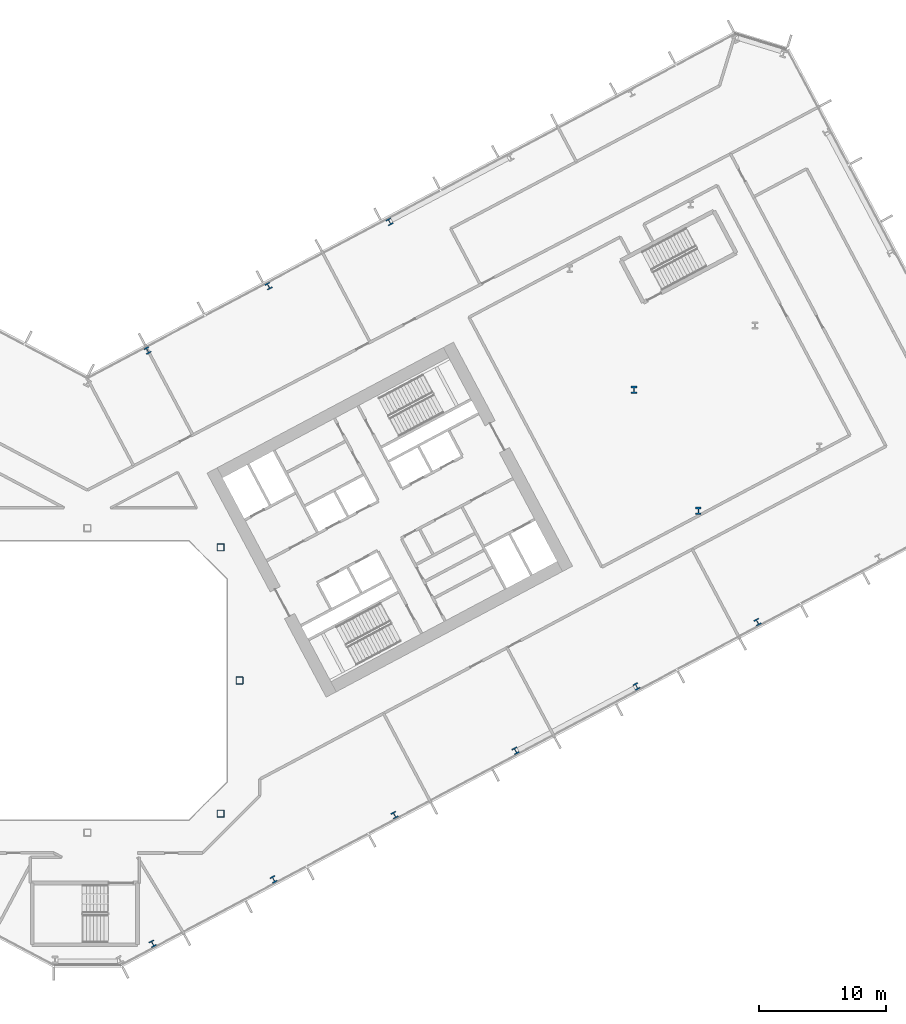
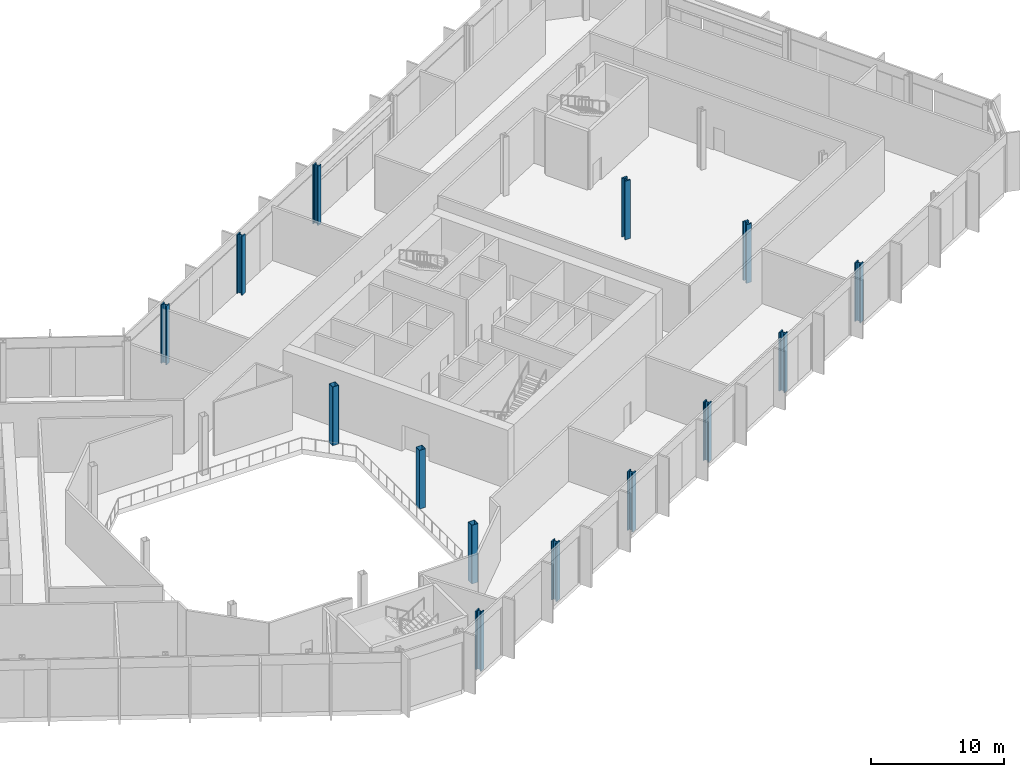
# One storey, part 3 of 31: 14 columns.
"""IFC4 building model written with IfcOpenShell, lengths in metres."""

import ifcopenshell
import ifcopenshell.guid

model = None  # the IFC model being written
_history = None  # IfcOwnerHistory: only IFC2X3 demands one
_inside = {}  # id of a spatial element -> (the spatial element, [elements in it])
_under = {}  # id of a project, library or spatial element -> (it, [spatial elements below it])
_declared = {}  # id of a project -> (the project, [libraries it declares])
_typed = {}  # id of a type object -> (the type object, [elements of that type])
_made_of = {}  # id of a material, layer set ... -> (it, [elements and type objects made of it])


def new_model(schema):
    """Start an empty IFC model of exactly this schema.

    Asked for "IFC4X3", IfcOpenShell would pick the latest addendum, in which some entities
    have other attributes; the version numbers below select the first issue.
    IFC2X3 requires an IfcOwnerHistory on every rooted entity: one is made here for all.
    """
    global model, _history
    if schema == "IFC4X3":
        model = ifcopenshell.file(schema_version=(4, 3, 0, 0))
    else:
        model = ifcopenshell.file(schema=schema)
    _inside.clear()
    _under.clear()
    _declared.clear()
    _typed.clear()
    _made_of.clear()
    _history = None
    if model.schema == "IFC2X3":
        org = make("IfcOrganization", Name="unknown")
        user = make(
            "IfcPersonAndOrganization",
            ThePerson=make("IfcPerson", FamilyName="unknown"),
            TheOrganization=org,
        )
        app = make(
            "IfcApplication",
            ApplicationDeveloper=org,
            Version="unknown",
            ApplicationFullName="unknown",
            ApplicationIdentifier="unknown",
        )
        _history = make(
            "IfcOwnerHistory",
            OwningUser=user,
            OwningApplication=app,
            ChangeAction="ADDED",
            CreationDate=0,
        )
    return model


def make(cls, **values):
    """One entity of the class cls with the attributes given. An attribute that is None is left unset."""
    return model.create_entity(
        cls, **{name: value for name, value in values.items() if value is not None}
    )


def rooted(cls, **values):
    """An entity with a GlobalId (a new one), such as an element, a storey or a relation."""
    return make(cls, GlobalId=ifcopenshell.guid.new(), OwnerHistory=_history, **values)


def si_unit(unit_type, name, prefix=None):
    """IfcSIUnit, for example si_unit("LENGTHUNIT", "METRE", prefix="MILLI")."""
    return make("IfcSIUnit", UnitType=unit_type, Prefix=prefix, Name=name)


def assignment(units):
    """IfcUnitAssignment: the units of a project."""
    return None if units is None else make("IfcUnitAssignment", Units=units)


def point(xyz):
    """IfcCartesianPoint."""
    return None if xyz is None else make("IfcCartesianPoint", Coordinates=xyz)


def direction(xyz):
    """IfcDirection."""
    return None if xyz is None else make("IfcDirection", DirectionRatios=xyz)


def frame(location, z_axis=None, x_axis=None):
    """IfcAxis2Placement3D, a coordinate frame: its origin and axes. An axis left out is left unset."""
    return make(
        "IfcAxis2Placement3D",
        Location=point(location),
        Axis=direction(z_axis),
        RefDirection=direction(x_axis),
    )


def frame_2d(location, x_axis=None):
    """IfcAxis2Placement2D, a coordinate frame in the plane: its origin and x axis."""
    return make(
        "IfcAxis2Placement2D", Location=point(location), RefDirection=direction(x_axis)
    )


def origin():
    """The frame at (0, 0, 0) with its axes left unset."""
    return frame((0.0, 0.0, 0.0))


def origin_2d():
    """The frame at (0, 0) in the plane with its x axis left unset."""
    return frame_2d((0.0, 0.0))


def place(relative_to, where):
    """IfcLocalPlacement: puts the frame where relative to a parent placement (None: the world)."""
    return make(
        "IfcLocalPlacement", PlacementRelTo=relative_to, RelativePlacement=where
    )


def context(
    kind, dimensions, precision=None, world=None, true_north=None, identifier=None
):
    """IfcGeometricRepresentationContext, for example the 3D "Model" context."""
    return make(
        "IfcGeometricRepresentationContext",
        ContextIdentifier=identifier,
        ContextType=kind,
        CoordinateSpaceDimension=dimensions,
        Precision=precision,
        WorldCoordinateSystem=world,
        TrueNorth=true_north,
    )


def subcontext(parent, identifier, kind, view, scale=None):
    """IfcGeometricRepresentationSubContext, for example "Body" below "Model"."""
    return make(
        "IfcGeometricRepresentationSubContext",
        ContextIdentifier=identifier,
        ContextType=kind,
        ParentContext=parent,
        TargetScale=scale,
        TargetView=view,
    )


def project(units=None, contexts=None):
    """IfcProject with its units and contexts."""
    return rooted(
        "IfcProject",
        Name="project",
        RepresentationContexts=contexts,
        UnitsInContext=assignment(units),
    )


def spatial(cls, under=None, at=None, **own):
    """A site, building, storey or space (cls), placed at a placement, below another one or the project."""
    s = rooted(cls, ObjectPlacement=at, **own)
    if under is not None:
        _under.setdefault(under.id(), (under, []))[1].append(s)
    return s


def profile(cls, at=None, kind="AREA", **sizes):
    """A parametric profile (cls). Its sizes go by their IFC names, for example OverallWidth=200.0."""
    return make(cls, ProfileType=kind, Position=at, **sizes)


def hollow_rectangle(**sizes):
    """IfcRectangleHollowProfileDef."""
    return profile("IfcRectangleHollowProfileDef", **sizes)


def i_section(**sizes):
    """IfcIShapeProfileDef."""
    return profile("IfcIShapeProfileDef", **sizes)


def extrude(swept, where, along, depth):
    """IfcExtrudedAreaSolid: the profile swept, set in the frame where, extruded along a direction by depth."""
    return make(
        "IfcExtrudedAreaSolid",
        SweptArea=swept,
        Position=where,
        ExtrudedDirection=direction(along),
        Depth=depth,
    )


def shape(context_of_items, identifier, shape_type, items):
    """IfcShapeRepresentation: the items that make up one representation, for example the "Body"."""
    return make(
        "IfcShapeRepresentation",
        ContextOfItems=context_of_items,
        RepresentationIdentifier=identifier,
        RepresentationType=shape_type,
        Items=items,
    )


def material(Name=None, Category=None):
    """IfcMaterial."""
    return make("IfcMaterial", Name=Name, Category=Category)


def material_profile(
    of_material, cross_section, Name=None, Category=None, Priority=None
):
    """IfcMaterialProfile: a cross section and its material."""
    return make(
        "IfcMaterialProfile",
        Name=Name,
        Material=of_material,
        Profile=cross_section,
        Priority=Priority,
        Category=Category,
    )


def profile_set(profiles, Name=None, composite=None):
    """IfcMaterialProfileSet."""
    return make(
        "IfcMaterialProfileSet",
        Name=Name,
        MaterialProfiles=profiles,
        CompositeProfile=composite,
    )


def made_of(thing, what):
    """Note that an element or type object is made of a material, layer set ...; save() writes the relation."""
    if what is not None:
        _made_of.setdefault(what.id(), (what, []))[1].append(thing)
    return thing


def type_object(cls, material=None, **own):
    """A type object (cls), such as IfcWallType, which elements share."""
    return made_of(rooted(cls, **own), material)


def element(
    cls,
    number,
    at=None,
    inside=None,
    cuts=None,
    type_object=None,
    material=None,
    context=None,
    identifier="Body",
    shape_type=None,
    held_by="IfcProductDefinitionShape",
    body=None,
    shapes=None,
    **own,
):
    """One element of the class cls, such as IfcWall. Its Tag is "e" and its number.

    at: its placement. inside: the storey or other place that contains it. cuts: it is an
    opening in that element (IfcRelVoidsElement). A single representation is given by context,
    identifier, shape_type and body (its items); several are given by shapes. held_by: the class
    of the entity that holds the representations. save() writes the other relations.
    """
    e = rooted(cls, Tag="e%d" % number, ObjectPlacement=at, **own)
    if body is not None:
        shapes = [shape(context, identifier, shape_type, body)]
    if shapes is not None:
        e.Representation = make(held_by, Representations=shapes)
    if inside is not None:
        _inside.setdefault(inside.id(), (inside, []))[1].append(e)
    if cuts is not None:
        rooted(
            "IfcRelVoidsElement", RelatingBuildingElement=cuts, RelatedOpeningElement=e
        )
    if type_object is not None:
        _typed.setdefault(type_object.id(), (type_object, []))[1].append(e)
    return made_of(e, material)


def aggregate(whole, parts):
    """IfcRelAggregates: a whole, such as a stair, and the parts it consists of."""
    return rooted("IfcRelAggregates", RelatingObject=whole, RelatedObjects=parts)


def save(model, path):
    """Write the relations noted so far, then the file.

    IfcRelAggregates (storeys below a building ...), IfcRelContainedInSpatialStructure (elements
    in a storey), IfcRelDefinesByType, IfcRelAssociatesMaterial and IfcRelDeclares: one each for
    every whole, place, type object, material and project.
    """
    for whole, parts in _under.values():
        aggregate(whole, parts)
    for where, things in _inside.values():
        rooted(
            "IfcRelContainedInSpatialStructure",
            RelatedElements=things,
            RelatingStructure=where,
        )
    for kind, things in _typed.values():
        rooted("IfcRelDefinesByType", RelatedObjects=things, RelatingType=kind)
    for what, things in _made_of.values():
        rooted("IfcRelAssociatesMaterial", RelatedObjects=things, RelatingMaterial=what)
    for by, libraries in _declared.values():
        rooted("IfcRelDeclares", RelatingContext=by, RelatedDefinitions=libraries)
    model.write(path)


model = new_model("IFC4")

# Units and contexts
model_context = context("Model", 3, precision=1e-05, world=origin(), true_north=direction((0.0, 1.0)))
body_context = subcontext(model_context, "Body", "Model", "MODEL_VIEW")
ifc_project = project(units=[si_unit("LENGTHUNIT", "METRE"), si_unit("AREAUNIT", "SQUARE_METRE"), si_unit("VOLUMEUNIT", "CUBIC_METRE"), si_unit("PLANEANGLEUNIT", "RADIAN"), si_unit("MASSUNIT", "GRAM", prefix="KILO")], contexts=[model_context])

# Site, building, storey
site_placement = place(None, origin())
site = spatial("IfcSite", under=ifc_project, at=site_placement, CompositionType="ELEMENT")
building_placement = place(site_placement, origin())
building = spatial("IfcBuilding", under=site, at=building_placement, Name="Cormorant Relay Tower", CompositionType="ELEMENT")
storey_placement = place(building_placement, frame((0.0, 0.0, 23.0)))
storey = spatial("IfcBuildingStorey", under=building, at=storey_placement, Name="L04", CompositionType="ELEMENT", Elevation=23.0)

# Columns
ifc_material_1 = material(Name="Steel ASTM A1085 Grade A (Fy 345 MPa)", Category="steel")
ifc_material_profile_1 = material_profile(ifc_material_1, hollow_rectangle(XDim=0.558837890625, YDim=0.558837890625, WallThickness=0.023681640625, InnerFilletRadius=0.01171875, OuterFilletRadius=0.035400390625, at=origin_2d()), Name="HSS559x559x24")
ifc_profile_set_1 = profile_set([ifc_material_profile_1], Name="Steel ASTM A1085 Grade A (Fy 345 MPa)")
column_type_1 = type_object("IfcColumnType", Name="Column HSS559x559x24", PredefinedType="COLUMN", material=ifc_profile_set_1)
for number, where, z_axis, x_axis, name in (
    (1, (10.5, -10.5, 0.0), (0.0, 0.0, 1.0), (1.0, 0.0, 0.0), "Column L04-010"),
    (2, (12.0, 0.0, 0.0), (0.0, 0.0, 1.0), (1.0, 0.0, 0.0), "Column L04-016"),
    (3, (10.5, 10.5, 0.0), (0.0, 0.0, 1.0), (1.0, 0.0, 0.0), "Column L04-023"),
):
    element("IfcColumn", number, at=place(storey_placement, frame(where, z_axis=z_axis, x_axis=x_axis)), inside=storey, type_object=column_type_1, Name=name, PredefinedType="COLUMN", context=body_context, shape_type="SweptSolid", body=[
        extrude(hollow_rectangle(XDim=0.558837890625, YDim=0.558837890625, WallThickness=0.023681640625, InnerFilletRadius=0.01171875, OuterFilletRadius=0.035400390625, at=origin_2d()), origin(), (0.0, 0.0, 1.0), 5.39990234375),
    ])
ifc_material_2 = material(Name="Steel ASTM A992 (Fy 345 MPa)", Category="steel")
ifc_material_profile_2 = material_profile(ifc_material_2, i_section(OverallWidth=0.45458984375, OverallDepth=0.569091796875, WebThickness=0.077880859375, FlangeThickness=0.124755859375, FilletRadius=0.015380859375, at=origin_2d()), Name="W360x1086")
ifc_profile_set_2 = profile_set([ifc_material_profile_2], Name="Steel ASTM A992 (Fy 345 MPa)")
column_type_2 = type_object("IfcColumnType", Name="Column W360x1086", PredefinedType="COLUMN", material=ifc_profile_set_2)
for number, where, z_axis, x_axis, name in (
    (4, (48.157958984375, 13.3740234375, 0.0), (0.0, 0.0, 1.0), (1.0, 0.0, 0.0), "Column L04-025"),
    (5, (43.087890625, 22.909912109375, 0.0), (0.0, 0.0, 1.0), (1.0, 0.0, 0.0), "Column L04-031"),
):
    element("IfcColumn", number, at=place(storey_placement, frame(where, z_axis=z_axis, x_axis=x_axis)), inside=storey, type_object=column_type_2, Name=name, PredefinedType="COLUMN", context=body_context, shape_type="SweptSolid", body=[
        extrude(i_section(OverallWidth=0.45458984375, OverallDepth=0.569091796875, WebThickness=0.077880859375, FlangeThickness=0.124755859375, FilletRadius=0.015380859375, at=origin_2d()), origin(), (0.0, 0.0, 1.0), 5.39990234375),
    ])
ifc_material_3 = material(Name="Steel ASTM A992 (Fy 345 MPa)", Category="steel")
ifc_material_profile_3 = material_profile(ifc_material_3, i_section(OverallWidth=0.43701171875, OverallDepth=0.51318359375, WebThickness=0.060546875, FlangeThickness=0.096923828125, FilletRadius=0.015380859375, at=origin_2d()), Name="W360x818")
ifc_profile_set_3 = profile_set([ifc_material_profile_3], Name="Steel ASTM A992 (Fy 345 MPa)")
column_type_3 = type_object("IfcColumnType", Name="Column W360x818", PredefinedType="COLUMN", material=ifc_profile_set_3)
for number, where, z_axis, x_axis, name in (
    (6, (5.14599609375, -20.75390625, 0.0), (0.0, 0.0, 1.0), (0.882947592859, 0.469471562786, 0.0), "Column L04-003"),
    (7, (14.680908203125, -15.68310546875, 0.0), (0.0, 0.0, 1.0), (0.882947592859, 0.469471562786, 0.0), "Column L04-005"),
    (8, (24.217041015625, -10.613037109375, 0.0), (0.0, 0.0, 1.0), (0.882947592859, 0.469471562786, 0.0), "Column L04-008"),
    (9, (33.7529296875, -5.54296875, 0.0), (0.0, 0.0, 1.0), (0.882947592859, 0.469471562786, 0.0), "Column L04-012"),
    (10, (43.2890625, -0.471923828125, 0.0), (0.0, 0.0, 1.0), (0.882947592859, 0.469471562786, 0.0), "Column L04-014"),
    (11, (52.824951171875, 4.597900390625, 0.0), (0.0, 0.0, 1.0), (0.882947592859, 0.469471562786, 0.0), "Column L04-019"),
    (12, (4.743896484375, 26.011962890625, 0.0), (0.0, 0.0, 1.0), (-0.882947592859, -0.469471562786, 0.0), "Column L04-035"),
    (13, (14.279052734375, 31.08203125, 0.0), (0.0, 0.0, 1.0), (-0.882947592859, -0.469471562786, 0.0), "Column L04-039"),
    (14, (23.81494140625, 36.152099609375, 0.0), (0.0, 0.0, 1.0), (-0.882947592859, -0.469471562786, 0.0), "Column L04-044"),
):
    element("IfcColumn", number, at=place(storey_placement, frame(where, z_axis=z_axis, x_axis=x_axis)), inside=storey, type_object=column_type_3, Name=name, PredefinedType="COLUMN", context=body_context, shape_type="SweptSolid", body=[
        extrude(i_section(OverallWidth=0.43701171875, OverallDepth=0.51318359375, WebThickness=0.060546875, FlangeThickness=0.096923828125, FilletRadius=0.015380859375, at=origin_2d()), origin(), (0.0, 0.0, 1.0), 5.39990234375),
    ])

save(model, "model.ifc")
